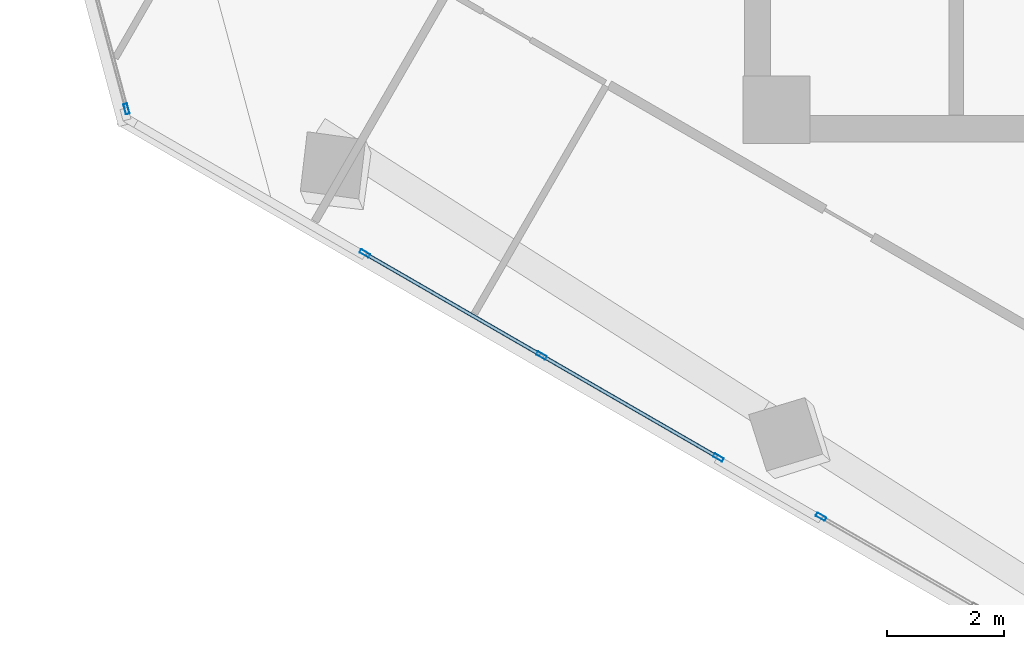
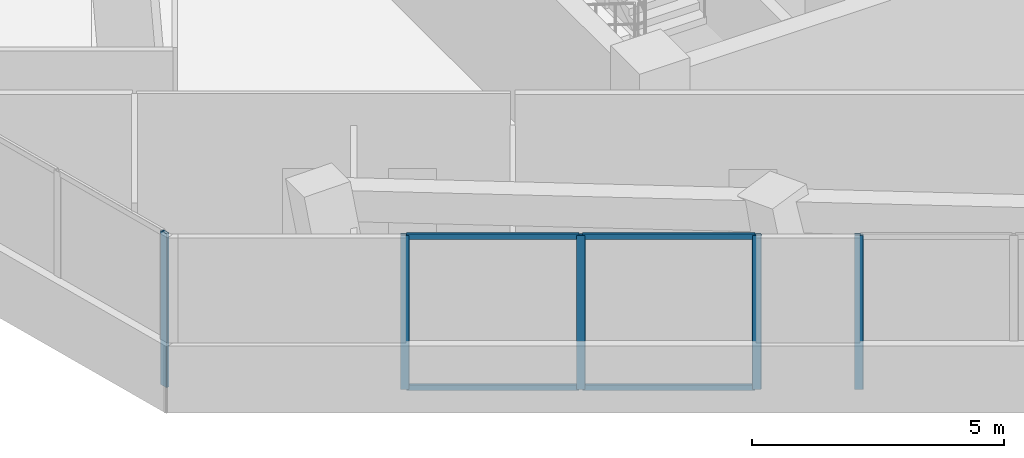
# One storey, part 2 of 22: 9 members, 3 elements without a shape of their own.
"""IFC4 building model written with IfcOpenShell, lengths in metres."""

from ifc_helpers import new_model, si_unit, direction, frame, origin, origin_2d, place, context, subcontext, project, spatial, hollow_rectangle, extrude, source, transform, mapped, material, material_profile, profile_set, type_object, element, aggregate, save


model = new_model("IFC4")

# Units and contexts
model_context = context("Model", 3, precision=1e-05, world=origin(), true_north=direction((0.0, 1.0)))
body_context = subcontext(model_context, "Body", "Model", "MODEL_VIEW")
ifc_project = project(units=[si_unit("LENGTHUNIT", "METRE"), si_unit("AREAUNIT", "SQUARE_METRE"), si_unit("VOLUMEUNIT", "CUBIC_METRE"), si_unit("PLANEANGLEUNIT", "RADIAN"), si_unit("MASSUNIT", "GRAM", prefix="KILO")], contexts=[model_context])

# Site, building, storey
site_placement = place(None, origin())
site = spatial("IfcSite", under=ifc_project, at=site_placement, CompositionType="ELEMENT")
building_placement = place(site_placement, origin())
building = spatial("IfcBuilding", under=site, at=building_placement, Name="Torre Montelarca", CompositionType="ELEMENT")
storey_placement = place(building_placement, frame((0.0, 0.0, 183.39990234375)))
storey = spatial("IfcBuildingStorey", under=building, at=storey_placement, Name="L41", CompositionType="ELEMENT", Elevation=183.39990234375)

# Curtain wall, members
ifc_material_1 = material(Name="Insulated low-E laminated glass", Category="glass")
curtain_wall_type = type_object("IfcCurtainWallType", Name="CW-SYS-Z2", PredefinedType="USERDEFINED", material=ifc_material_1)
curtain_wall_1_placement = place(storey_placement, origin())
curtain_wall_1 = element("IfcCurtainWall", 1, at=curtain_wall_1_placement, inside=storey, type_object=curtain_wall_type, Name="L41 Curtain Wall Run CW-T3-L41-E01-B1", ObjectType="UNITISED GLAZING", PredefinedType="USERDEFINED")
ifc_material_2 = material(Name="Anodised aluminium AA 6063-T6", Category="aluminium")
ifc_material_profile_1 = material_profile(ifc_material_2, hollow_rectangle(XDim=0.06494140625, YDim=0.179931640625, WallThickness=0.00390625, InnerFilletRadius=0.00390625, OuterFilletRadius=0.008056640625, at=origin_2d()), Name="ALU65X180X4", Category="aluminium")
ifc_profile_set_1 = profile_set([ifc_material_profile_1], Name="Anodised aluminium AA 6063-T6")
member_type_1 = type_object("IfcMemberType", Name="CWM-ALU180", PredefinedType="MULLION", material=ifc_profile_set_1)
shared_shape_1 = source(origin(), body_context, "Body", "SweptSolid", [
    extrude(hollow_rectangle(XDim=0.06494140625, YDim=0.179931640625, WallThickness=0.00390625, InnerFilletRadius=0.00390625, OuterFilletRadius=0.008056640625, at=origin_2d()), origin(), (0.0, 0.0, 1.0), 3.72021484375),
])
member_1_placement = place(storey_placement, frame((2.5166015625, 22.0947265625, 0.0), z_axis=(0.0, 0.0, 1.0), x_axis=(0.500001158972, 0.866024734651, 0.0)))
member_1 = element("IfcMember", 2, at=member_1_placement, type_object=member_type_1, Name="CW mullion 1", PredefinedType="MULLION", context=body_context, shape_type="MappedRepresentation", body=[
    mapped(shared_shape_1, transform((0.0, 0.0, 0.0), scale=1.0)),
])
member_2_placement = place(storey_placement, frame((5.536865234375, 20.350830078125, 0.0), z_axis=(0.0, 0.0, 1.0), x_axis=(0.500001158972, 0.866024734651, 0.0)))
member_2 = element("IfcMember", 3, at=member_2_placement, type_object=member_type_1, Name="CW mullion 2", PredefinedType="MULLION", context=body_context, shape_type="MappedRepresentation", body=[
    mapped(shared_shape_1, transform((0.0, 0.0, 0.0), scale=1.0)),
])
member_3_placement = place(storey_placement, frame((8.55712890625, 18.607177734375, 0.0), z_axis=(0.0, 0.0, 1.0), x_axis=(0.500001158972, 0.866024734651, 0.0)))
member_3 = element("IfcMember", 4, at=member_3_placement, type_object=member_type_1, Name="CW mullion 3", PredefinedType="MULLION", context=body_context, shape_type="MappedRepresentation", body=[
    mapped(shared_shape_1, transform((0.0, 0.0, 0.0), scale=1.0)),
])

# Curtain wall, member
curtain_wall_2_placement = place(storey_placement, origin())
curtain_wall_2 = element("IfcCurtainWall", 5, at=curtain_wall_2_placement, inside=storey, type_object=curtain_wall_type, Name="L41 Curtain Wall Run CW-T3-L41-E01-B2", ObjectType="UNITISED GLAZING", PredefinedType="USERDEFINED")
member_4_placement = place(storey_placement, frame((10.310791015625, 17.5947265625, 0.0), z_axis=(0.0, 0.0, 1.0), x_axis=(0.499992897024, 0.866029504651, 0.0)))
member_4 = element("IfcMember", 6, at=member_4_placement, type_object=member_type_1, Name="CW mullion 1", PredefinedType="MULLION", context=body_context, shape_type="MappedRepresentation", body=[
    mapped(shared_shape_1, transform((0.0, 0.0, 0.0), scale=1.0)),
])
aggregate(curtain_wall_2, [member_4])

curtain_wall_3_placement = place(storey_placement, origin())
curtain_wall_3 = element("IfcCurtainWall", 7, at=curtain_wall_3_placement, inside=storey, type_object=curtain_wall_type, Name="L41 Curtain Wall Run CW-T3-L41-E11-B1", ObjectType="UNITISED GLAZING", PredefinedType="USERDEFINED")
member_5_placement = place(storey_placement, frame((-1.555419921875, 24.5634765625, 0.0), z_axis=(0.0, 0.0, 1.0), x_axis=(0.965928294635, 0.258809832936, 0.0)))
member_5 = element("IfcMember", 8, at=member_5_placement, type_object=member_type_1, Name="CW mullion 3", PredefinedType="MULLION", context=body_context, shape_type="MappedRepresentation", body=[
    mapped(shared_shape_1, transform((0.0, 0.0, 0.0), scale=1.0)),
])
aggregate(curtain_wall_3, [member_5])

# Member
ifc_material_profile_2 = material_profile(ifc_material_2, hollow_rectangle(XDim=0.06494140625, YDim=0.139892578125, WallThickness=0.00390625, InnerFilletRadius=0.00390625, OuterFilletRadius=0.008056640625, at=origin_2d()), Name="ALU65X140X4", Category="aluminium")
ifc_profile_set_2 = profile_set([ifc_material_profile_2], Name="Anodised aluminium AA 6063-T6")
member_type_2 = type_object("IfcMemberType", Name="CWT-ALU140", PredefinedType="USERDEFINED", material=ifc_profile_set_2)
shared_shape_2 = source(origin(), body_context, "Body", "SweptSolid", [
    extrude(hollow_rectangle(XDim=0.06494140625, YDim=0.139892578125, WallThickness=0.00390625, InnerFilletRadius=0.00390625, OuterFilletRadius=0.008056640625, at=origin_2d()), origin(), (0.0, 0.0, 1.0), 3.422607421875),
])
member_6_placement = place(storey_placement, frame((5.56494140625, 20.334716796875, 0.03271484375), z_axis=(0.865995510393, -0.500051773299, 0.0), x_axis=(0.500051773299, 0.865995510393, 0.0)))
member_6 = element("IfcMember", 9, at=member_6_placement, type_object=member_type_2, Name="CW transom 2.1", ObjectType="TRANSOM", PredefinedType="USERDEFINED", context=body_context, shape_type="MappedRepresentation", body=[
    mapped(shared_shape_2, transform((0.0, 0.0, 0.0), scale=1.0)),
])

member_7_placement = place(storey_placement, frame((5.56494140625, 20.334716796875, 3.6875), z_axis=(0.865995510393, -0.500051773299, 0.0), x_axis=(0.500051773299, 0.865995510393, 0.0)))
member_7 = element("IfcMember", 10, at=member_7_placement, type_object=member_type_2, Name="CW transom 2.2", ObjectType="TRANSOM", PredefinedType="USERDEFINED", context=body_context, shape_type="MappedRepresentation", body=[
    mapped(shared_shape_2, transform((0.0, 0.0, 0.0), scale=1.0)),
])

shared_shape_3 = source(origin(), body_context, "Body", "SweptSolid", [
    extrude(hollow_rectangle(XDim=0.06494140625, YDim=0.139892578125, WallThickness=0.00390625, InnerFilletRadius=0.00390625, OuterFilletRadius=0.008056640625, at=origin_2d()), origin(), (0.0, 0.0, 1.0), 3.42236328125),
])
member_8_placement = place(storey_placement, frame((2.544677734375, 22.078369140625, 0.03271484375), z_axis=(0.866026400529, -0.499998273584, 0.0), x_axis=(0.499998273584, 0.866026400529, 0.0)))
member_8 = element("IfcMember", 11, at=member_8_placement, type_object=member_type_2, Name="CW transom 1.1", ObjectType="TRANSOM", PredefinedType="USERDEFINED", context=body_context, shape_type="MappedRepresentation", body=[
    mapped(shared_shape_3, transform((0.0, 0.0, 0.0), scale=1.0)),
])

member_9_placement = place(storey_placement, frame((2.544677734375, 22.078369140625, 3.6875), z_axis=(0.866026400529, -0.499998273584, 0.0), x_axis=(0.499998273584, 0.866026400529, 0.0)))
member_9 = element("IfcMember", 12, at=member_9_placement, type_object=member_type_2, Name="CW transom 1.2", ObjectType="TRANSOM", PredefinedType="USERDEFINED", context=body_context, shape_type="MappedRepresentation", body=[
    mapped(shared_shape_3, transform((0.0, 0.0, 0.0), scale=1.0)),
])

aggregate(curtain_wall_1, [member_1, member_2, member_3, member_8, member_9, member_6, member_7])

save(model, "model.ifc")
